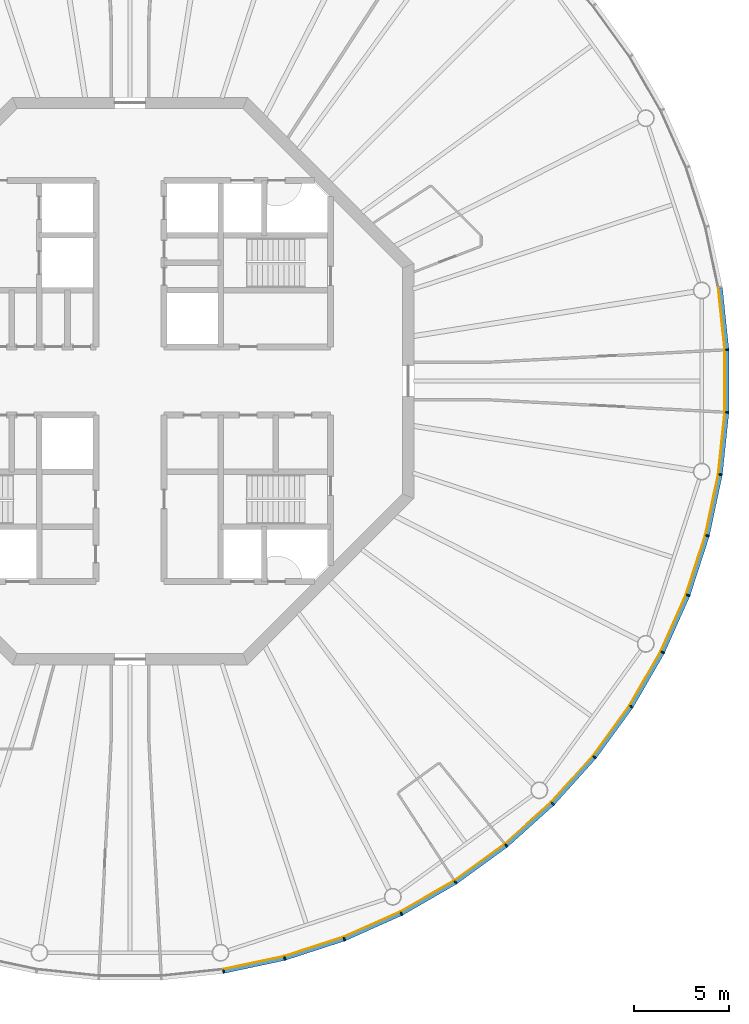
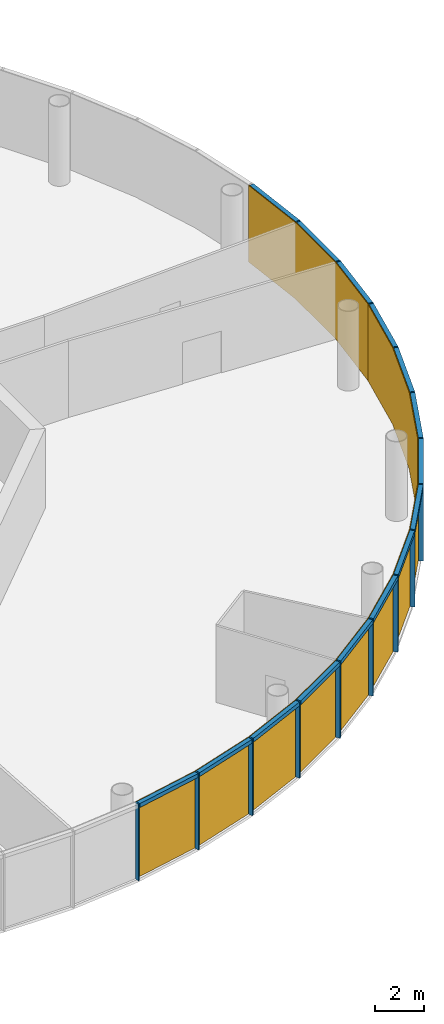
# One storey, part 9 of 13: 30 members, 5 curtain walls.
"""IFC4 building model written with IfcOpenShell, lengths in metres."""

import ifcopenshell
import ifcopenshell.guid

model = None  # the IFC model being written
_history = None  # IfcOwnerHistory: only IFC2X3 demands one
_inside = {}  # id of a spatial element -> (the spatial element, [elements in it])
_under = {}  # id of a project, library or spatial element -> (it, [spatial elements below it])
_declared = {}  # id of a project -> (the project, [libraries it declares])
_typed = {}  # id of a type object -> (the type object, [elements of that type])
_made_of = {}  # id of a material, layer set ... -> (it, [elements and type objects made of it])


def new_model(schema):
    """Start an empty IFC model of exactly this schema.

    Asked for "IFC4X3", IfcOpenShell would pick the latest addendum, in which some entities
    have other attributes; the version numbers below select the first issue.
    IFC2X3 requires an IfcOwnerHistory on every rooted entity: one is made here for all.
    """
    global model, _history
    if schema == "IFC4X3":
        model = ifcopenshell.file(schema_version=(4, 3, 0, 0))
    else:
        model = ifcopenshell.file(schema=schema)
    _inside.clear()
    _under.clear()
    _declared.clear()
    _typed.clear()
    _made_of.clear()
    _history = None
    if model.schema == "IFC2X3":
        org = make("IfcOrganization", Name="unknown")
        user = make(
            "IfcPersonAndOrganization",
            ThePerson=make("IfcPerson", FamilyName="unknown"),
            TheOrganization=org,
        )
        app = make(
            "IfcApplication",
            ApplicationDeveloper=org,
            Version="unknown",
            ApplicationFullName="unknown",
            ApplicationIdentifier="unknown",
        )
        _history = make(
            "IfcOwnerHistory",
            OwningUser=user,
            OwningApplication=app,
            ChangeAction="ADDED",
            CreationDate=0,
        )
    return model


def make(cls, **values):
    """One entity of the class cls with the attributes given. An attribute that is None is left unset."""
    return model.create_entity(
        cls, **{name: value for name, value in values.items() if value is not None}
    )


def rooted(cls, **values):
    """An entity with a GlobalId (a new one), such as an element, a storey or a relation."""
    return make(cls, GlobalId=ifcopenshell.guid.new(), OwnerHistory=_history, **values)


def si_unit(unit_type, name, prefix=None):
    """IfcSIUnit, for example si_unit("LENGTHUNIT", "METRE", prefix="MILLI")."""
    return make("IfcSIUnit", UnitType=unit_type, Prefix=prefix, Name=name)


def assignment(units):
    """IfcUnitAssignment: the units of a project."""
    return None if units is None else make("IfcUnitAssignment", Units=units)


def point(xyz):
    """IfcCartesianPoint."""
    return None if xyz is None else make("IfcCartesianPoint", Coordinates=xyz)


def direction(xyz):
    """IfcDirection."""
    return None if xyz is None else make("IfcDirection", DirectionRatios=xyz)


def frame(location, z_axis=None, x_axis=None):
    """IfcAxis2Placement3D, a coordinate frame: its origin and axes. An axis left out is left unset."""
    return make(
        "IfcAxis2Placement3D",
        Location=point(location),
        Axis=direction(z_axis),
        RefDirection=direction(x_axis),
    )


def frame_2d(location, x_axis=None):
    """IfcAxis2Placement2D, a coordinate frame in the plane: its origin and x axis."""
    return make(
        "IfcAxis2Placement2D", Location=point(location), RefDirection=direction(x_axis)
    )


def origin():
    """The frame at (0, 0, 0) with its axes left unset."""
    return frame((0.0, 0.0, 0.0))


def origin_2d():
    """The frame at (0, 0) in the plane with its x axis left unset."""
    return frame_2d((0.0, 0.0))


def place(relative_to, where):
    """IfcLocalPlacement: puts the frame where relative to a parent placement (None: the world)."""
    return make(
        "IfcLocalPlacement", PlacementRelTo=relative_to, RelativePlacement=where
    )


def context(
    kind, dimensions, precision=None, world=None, true_north=None, identifier=None
):
    """IfcGeometricRepresentationContext, for example the 3D "Model" context."""
    return make(
        "IfcGeometricRepresentationContext",
        ContextIdentifier=identifier,
        ContextType=kind,
        CoordinateSpaceDimension=dimensions,
        Precision=precision,
        WorldCoordinateSystem=world,
        TrueNorth=true_north,
    )


def subcontext(parent, identifier, kind, view, scale=None):
    """IfcGeometricRepresentationSubContext, for example "Body" below "Model"."""
    return make(
        "IfcGeometricRepresentationSubContext",
        ContextIdentifier=identifier,
        ContextType=kind,
        ParentContext=parent,
        TargetScale=scale,
        TargetView=view,
    )


def project(units=None, contexts=None):
    """IfcProject with its units and contexts."""
    return rooted(
        "IfcProject",
        Name="project",
        RepresentationContexts=contexts,
        UnitsInContext=assignment(units),
    )


def spatial(cls, under=None, at=None, **own):
    """A site, building, storey or space (cls), placed at a placement, below another one or the project."""
    s = rooted(cls, ObjectPlacement=at, **own)
    if under is not None:
        _under.setdefault(under.id(), (under, []))[1].append(s)
    return s


def polyline(points):
    """IfcPolyline through the points."""
    return make("IfcPolyline", Points=[point(p) for p in points])


def profile(cls, at=None, kind="AREA", **sizes):
    """A parametric profile (cls). Its sizes go by their IFC names, for example OverallWidth=200.0."""
    return make(cls, ProfileType=kind, Position=at, **sizes)


def rectangle(**sizes):
    """IfcRectangleProfileDef."""
    return profile("IfcRectangleProfileDef", **sizes)


def outline(outer, holes=None, kind="AREA"):
    """IfcArbitraryClosedProfileDef: a profile drawn as a closed curve; with holes, ...WithVoids."""
    if holes is None:
        return make("IfcArbitraryClosedProfileDef", ProfileType=kind, OuterCurve=outer)
    return make(
        "IfcArbitraryProfileDefWithVoids",
        ProfileType=kind,
        OuterCurve=outer,
        InnerCurves=holes,
    )


def extrude(swept, where, along, depth):
    """IfcExtrudedAreaSolid: the profile swept, set in the frame where, extruded along a direction by depth."""
    return make(
        "IfcExtrudedAreaSolid",
        SweptArea=swept,
        Position=where,
        ExtrudedDirection=direction(along),
        Depth=depth,
    )


def shape(context_of_items, identifier, shape_type, items):
    """IfcShapeRepresentation: the items that make up one representation, for example the "Body"."""
    return make(
        "IfcShapeRepresentation",
        ContextOfItems=context_of_items,
        RepresentationIdentifier=identifier,
        RepresentationType=shape_type,
        Items=items,
    )


def material(Name=None, Category=None):
    """IfcMaterial."""
    return make("IfcMaterial", Name=Name, Category=Category)


def layer(
    of_material, thickness, ventilated=None, Name=None, Category=None, Priority=None
):
    """IfcMaterialLayer: one layer of a wall or slab, of a material (None: an air gap)."""
    return make(
        "IfcMaterialLayer",
        Material=of_material,
        LayerThickness=thickness,
        IsVentilated=ventilated,
        Name=Name,
        Category=Category,
        Priority=Priority,
    )


def layer_set(layers, Name=None):
    """IfcMaterialLayerSet."""
    return make("IfcMaterialLayerSet", MaterialLayers=layers, LayerSetName=Name)


def material_profile(
    of_material, cross_section, Name=None, Category=None, Priority=None
):
    """IfcMaterialProfile: a cross section and its material."""
    return make(
        "IfcMaterialProfile",
        Name=Name,
        Material=of_material,
        Profile=cross_section,
        Priority=Priority,
        Category=Category,
    )


def profile_set(profiles, Name=None, composite=None):
    """IfcMaterialProfileSet."""
    return make(
        "IfcMaterialProfileSet",
        Name=Name,
        MaterialProfiles=profiles,
        CompositeProfile=composite,
    )


def made_of(thing, what):
    """Note that an element or type object is made of a material, layer set ...; save() writes the relation."""
    if what is not None:
        _made_of.setdefault(what.id(), (what, []))[1].append(thing)
    return thing


def type_object(cls, material=None, **own):
    """A type object (cls), such as IfcWallType, which elements share."""
    return made_of(rooted(cls, **own), material)


def element(
    cls,
    number,
    at=None,
    inside=None,
    cuts=None,
    type_object=None,
    material=None,
    context=None,
    identifier="Body",
    shape_type=None,
    held_by="IfcProductDefinitionShape",
    body=None,
    shapes=None,
    **own,
):
    """One element of the class cls, such as IfcWall. Its Tag is "e" and its number.

    at: its placement. inside: the storey or other place that contains it. cuts: it is an
    opening in that element (IfcRelVoidsElement). A single representation is given by context,
    identifier, shape_type and body (its items); several are given by shapes. held_by: the class
    of the entity that holds the representations. save() writes the other relations.
    """
    e = rooted(cls, Tag="e%d" % number, ObjectPlacement=at, **own)
    if body is not None:
        shapes = [shape(context, identifier, shape_type, body)]
    if shapes is not None:
        e.Representation = make(held_by, Representations=shapes)
    if inside is not None:
        _inside.setdefault(inside.id(), (inside, []))[1].append(e)
    if cuts is not None:
        rooted(
            "IfcRelVoidsElement", RelatingBuildingElement=cuts, RelatedOpeningElement=e
        )
    if type_object is not None:
        _typed.setdefault(type_object.id(), (type_object, []))[1].append(e)
    return made_of(e, material)


def aggregate(whole, parts):
    """IfcRelAggregates: a whole, such as a stair, and the parts it consists of."""
    return rooted("IfcRelAggregates", RelatingObject=whole, RelatedObjects=parts)


def save(model, path):
    """Write the relations noted so far, then the file.

    IfcRelAggregates (storeys below a building ...), IfcRelContainedInSpatialStructure (elements
    in a storey), IfcRelDefinesByType, IfcRelAssociatesMaterial and IfcRelDeclares: one each for
    every whole, place, type object, material and project.
    """
    for whole, parts in _under.values():
        aggregate(whole, parts)
    for where, things in _inside.values():
        rooted(
            "IfcRelContainedInSpatialStructure",
            RelatedElements=things,
            RelatingStructure=where,
        )
    for kind, things in _typed.values():
        rooted("IfcRelDefinesByType", RelatedObjects=things, RelatingType=kind)
    for what, things in _made_of.values():
        rooted("IfcRelAssociatesMaterial", RelatedObjects=things, RelatingMaterial=what)
    for by, libraries in _declared.values():
        rooted("IfcRelDeclares", RelatingContext=by, RelatedDefinitions=libraries)
    model.write(path)


model = new_model("IFC4")

# Units and contexts
model_context = context("Model", 3, precision=1e-05, world=origin(), true_north=direction((0.0, 1.0)))
body_context = subcontext(model_context, "Body", "Model", "MODEL_VIEW")
ifc_project = project(units=[si_unit("LENGTHUNIT", "METRE"), si_unit("AREAUNIT", "SQUARE_METRE"), si_unit("VOLUMEUNIT", "CUBIC_METRE"), si_unit("PLANEANGLEUNIT", "RADIAN"), si_unit("MASSUNIT", "GRAM", prefix="KILO")], contexts=[model_context])

# Member
ifc_material_1 = material(Name="Anodised aluminium", Category="aluminium")
ifc_material_profile_1 = material_profile(ifc_material_1, rectangle(XDim=0.070068359375, YDim=0.205078125, at=origin_2d()), Name="Mullion 70 x 205 mm anodised aluminium")
ifc_profile_set_1 = profile_set([ifc_material_profile_1], Name="Anodised aluminium")
member_type_1 = type_object("IfcMemberType", Name="Mullion 70 x 205 mm anodised aluminium", PredefinedType="MULLION", material=ifc_profile_set_1)
site_placement = place(None, origin())
building_placement = place(site_placement, origin())
storey_placement = place(building_placement, frame((0.0, 0.0, 380.0)))
member_1_placement = place(storey_placement, frame((94.943603515625, 48.78662109375, 0.0), z_axis=(0.0, 0.0, 1.0), x_axis=(0.987688340595, 0.15643446504, 0.0)))
member_1 = element("IfcMember", 1, at=member_1_placement, type_object=member_type_1, Name="MULLION L88-45", PredefinedType="MULLION", context=body_context, shape_type="SweptSolid", body=[
    extrude(rectangle(XDim=0.070068359375, YDim=0.205078125, at=origin_2d()), origin(), (0.0, 0.0, 1.0), 3.85009765625),
])

member_2_placement = place(storey_placement, frame((98.179443359375, 49.474365234375, 0.0), z_axis=(0.0, 0.0, 1.0), x_axis=(0.965925826289, 0.258819045103, 0.0)))
member_2 = element("IfcMember", 2, at=member_2_placement, type_object=member_type_1, Name="MULLION L88-46", PredefinedType="MULLION", context=body_context, shape_type="SweptSolid", body=[
    extrude(rectangle(XDim=0.070068359375, YDim=0.205078125, at=origin_2d()), origin(), (0.0, 0.0, 1.0), 3.85009765625),
])

member_3_placement = place(storey_placement, frame((101.325439453125, 50.49658203125, 0.0), z_axis=(0.0, 0.0, 1.0), x_axis=(0.933580426497, 0.358367949545, 0.0)))
member_3 = element("IfcMember", 3, at=member_3_placement, type_object=member_type_1, Name="MULLION L88-47", PredefinedType="MULLION", context=body_context, shape_type="SweptSolid", body=[
    extrude(rectangle(XDim=0.070068359375, YDim=0.205078125, at=origin_2d()), origin(), (0.0, 0.0, 1.0), 3.85009765625),
])

member_4_placement = place(storey_placement, frame((104.34716796875, 51.842041015625, 0.0), z_axis=(0.0, 0.0, 1.0), x_axis=(0.891006524188, 0.45399049974, 0.0)))
member_4 = element("IfcMember", 4, at=member_4_placement, type_object=member_type_1, Name="MULLION L88-48", PredefinedType="MULLION", context=body_context, shape_type="SweptSolid", body=[
    extrude(rectangle(XDim=0.070068359375, YDim=0.205078125, at=origin_2d()), origin(), (0.0, 0.0, 1.0), 3.85009765625),
])

member_5_placement = place(storey_placement, frame((107.2119140625, 53.495849609375, 0.0), z_axis=(0.0, 0.0, 1.0), x_axis=(0.838670567945, 0.544639035015, 0.0)))
member_5 = element("IfcMember", 5, at=member_5_placement, type_object=member_type_1, Name="MULLION L88-49", PredefinedType="MULLION", context=body_context, shape_type="SweptSolid", body=[
    extrude(rectangle(XDim=0.070068359375, YDim=0.205078125, at=origin_2d()), origin(), (0.0, 0.0, 1.0), 3.85009765625),
])

member_6_placement = place(storey_placement, frame((109.88818359375, 55.440185546875, 0.0), z_axis=(0.0, 0.0, 1.0), x_axis=(0.777145961457, 0.62932039105, 0.0)))
member_6 = element("IfcMember", 6, at=member_6_placement, type_object=member_type_1, Name="MULLION L88-50", PredefinedType="MULLION", context=body_context, shape_type="SweptSolid", body=[
    extrude(rectangle(XDim=0.070068359375, YDim=0.205078125, at=origin_2d()), origin(), (0.0, 0.0, 1.0), 3.85009765625),
])

member_7_placement = place(storey_placement, frame((112.346435546875, 57.653564453125, 0.0), z_axis=(0.0, 0.0, 1.0), x_axis=(0.707106781187, 0.707106781187, 0.0)))
member_7 = element("IfcMember", 7, at=member_7_placement, type_object=member_type_1, Name="MULLION L88-51", PredefinedType="MULLION", context=body_context, shape_type="SweptSolid", body=[
    extrude(rectangle(XDim=0.070068359375, YDim=0.205078125, at=origin_2d()), origin(), (0.0, 0.0, 1.0), 3.85009765625),
])

member_8_placement = place(storey_placement, frame((114.559814453125, 60.11181640625, 0.0), z_axis=(0.0, 0.0, 1.0), x_axis=(0.62932039105, 0.777145961457, 0.0)))
member_8 = element("IfcMember", 8, at=member_8_placement, type_object=member_type_1, Name="MULLION L88-52", PredefinedType="MULLION", context=body_context, shape_type="SweptSolid", body=[
    extrude(rectangle(XDim=0.070068359375, YDim=0.205078125, at=origin_2d()), origin(), (0.0, 0.0, 1.0), 3.85009765625),
])

member_9_placement = place(storey_placement, frame((116.504150390625, 62.7880859375, 0.0), z_axis=(0.0, 0.0, 1.0), x_axis=(0.544639035015, 0.838670567945, 0.0)))
member_9 = element("IfcMember", 9, at=member_9_placement, type_object=member_type_1, Name="MULLION L88-53", PredefinedType="MULLION", context=body_context, shape_type="SweptSolid", body=[
    extrude(rectangle(XDim=0.070068359375, YDim=0.205078125, at=origin_2d()), origin(), (0.0, 0.0, 1.0), 3.85009765625),
])

member_10_placement = place(storey_placement, frame((118.157958984375, 65.65283203125, 0.0), z_axis=(0.0, 0.0, 1.0), x_axis=(0.45399049974, 0.891006524188, 0.0)))
member_10 = element("IfcMember", 10, at=member_10_placement, type_object=member_type_1, Name="MULLION L88-54", PredefinedType="MULLION", context=body_context, shape_type="SweptSolid", body=[
    extrude(rectangle(XDim=0.070068359375, YDim=0.205078125, at=origin_2d()), origin(), (0.0, 0.0, 1.0), 3.85009765625),
])

member_11_placement = place(storey_placement, frame((119.50341796875, 68.674560546875, 0.0), z_axis=(0.0, 0.0, 1.0), x_axis=(0.358367949545, 0.933580426497, 0.0)))
member_11 = element("IfcMember", 11, at=member_11_placement, type_object=member_type_1, Name="MULLION L88-55", PredefinedType="MULLION", context=body_context, shape_type="SweptSolid", body=[
    extrude(rectangle(XDim=0.070068359375, YDim=0.205078125, at=origin_2d()), origin(), (0.0, 0.0, 1.0), 3.85009765625),
])

member_12_placement = place(storey_placement, frame((120.525634765625, 71.820556640625, 0.0), z_axis=(0.0, 0.0, 1.0), x_axis=(0.258819045103, 0.965925826289, 0.0)))
member_12 = element("IfcMember", 12, at=member_12_placement, type_object=member_type_1, Name="MULLION L88-56", PredefinedType="MULLION", context=body_context, shape_type="SweptSolid", body=[
    extrude(rectangle(XDim=0.070068359375, YDim=0.205078125, at=origin_2d()), origin(), (0.0, 0.0, 1.0), 3.85009765625),
])

member_13_placement = place(storey_placement, frame((121.21337890625, 75.056396484375, 0.0), z_axis=(0.0, 0.0, 1.0), x_axis=(0.15643446504, 0.987688340595, 0.0)))
member_13 = element("IfcMember", 13, at=member_13_placement, type_object=member_type_1, Name="MULLION L88-57", PredefinedType="MULLION", context=body_context, shape_type="SweptSolid", body=[
    extrude(rectangle(XDim=0.070068359375, YDim=0.205078125, at=origin_2d()), origin(), (0.0, 0.0, 1.0), 3.85009765625),
])

member_14_placement = place(storey_placement, frame((121.55908203125, 78.345947265625, 0.0), z_axis=(0.0, 0.0, 1.0), x_axis=(0.052335956243, 0.998629534755, 0.0)))
member_14 = element("IfcMember", 14, at=member_14_placement, type_object=member_type_1, Name="MULLION L88-58", PredefinedType="MULLION", context=body_context, shape_type="SweptSolid", body=[
    extrude(rectangle(XDim=0.070068359375, YDim=0.205078125, at=origin_2d()), origin(), (0.0, 0.0, 1.0), 3.85009765625),
])

member_15_placement = place(storey_placement, frame((121.55908203125, 81.654052734375, 0.0), z_axis=(0.0, 0.0, 1.0), x_axis=(-0.052335956243, 0.998629534755, 0.0)))
member_15 = element("IfcMember", 15, at=member_15_placement, type_object=member_type_1, Name="MULLION L88-59", PredefinedType="MULLION", context=body_context, shape_type="SweptSolid", body=[
    extrude(rectangle(XDim=0.070068359375, YDim=0.205078125, at=origin_2d()), origin(), (0.0, 0.0, 1.0), 3.85009765625),
])

ifc_material_2 = material(Name="Anodised aluminium", Category="aluminium")
ifc_material_profile_2 = material_profile(ifc_material_2, rectangle(XDim=0.205078125, YDim=0.195068359375, at=origin_2d()), Name="Transom 195 x 205 mm anodised aluminium")
ifc_profile_set_2 = profile_set([ifc_material_profile_2], Name="Anodised aluminium")
member_type_2 = type_object("IfcMemberType", Name="Transom 195 x 205 mm anodised aluminium", PredefinedType="USERDEFINED", material=ifc_profile_set_2)
member_16_placement = place(storey_placement, frame((94.983154296875, 48.794921875, 3.75244140625), z_axis=(0.978153082647, 0.207885898771, 0.0), x_axis=(-0.207885898771, 0.978153082647, 0.0)))
member_16 = element("IfcMember", 16, at=member_16_placement, type_object=member_type_2, Name="TRANSOM L88-45", ObjectType="TRANSOM", PredefinedType="USERDEFINED", context=body_context, shape_type="SweptSolid", body=[
    extrude(rectangle(XDim=0.205078125, YDim=0.195068359375, at=origin_2d()), origin(), (0.0, 0.0, 1.0), 3.227294921875),
])

member_17_placement = place(storey_placement, frame((98.2177734375, 49.486572265625, 3.75244140625), z_axis=(0.951046855117, 0.309046726844, 0.0), x_axis=(-0.309046726844, 0.951046855117, 0.0)))
member_17 = element("IfcMember", 17, at=member_17_placement, type_object=member_type_2, Name="TRANSOM L88-46", ObjectType="TRANSOM", PredefinedType="USERDEFINED", context=body_context, shape_type="SweptSolid", body=[
    extrude(rectangle(XDim=0.205078125, YDim=0.195068359375, at=origin_2d()), origin(), (0.0, 0.0, 1.0), 3.22705078125),
])

member_18_placement = place(storey_placement, frame((101.3623046875, 50.5126953125, 3.75244140625), z_axis=(0.913521178731, 0.406791170024, 0.0), x_axis=(-0.406791170024, 0.913521178731, 0.0)))
member_18 = element("IfcMember", 18, at=member_18_placement, type_object=member_type_2, Name="TRANSOM L88-47", ObjectType="TRANSOM", PredefinedType="USERDEFINED", context=body_context, shape_type="SweptSolid", body=[
    extrude(rectangle(XDim=0.205078125, YDim=0.195068359375, at=origin_2d()), origin(), (0.0, 0.0, 1.0), 3.22705078125),
])

member_19_placement = place(storey_placement, frame((104.38232421875, 51.862060546875, 3.75244140625), z_axis=(0.866023062494, 0.500004055213, 0.0), x_axis=(-0.500004055213, 0.866023062494, 0.0)))
member_19 = element("IfcMember", 19, at=member_19_placement, type_object=member_type_2, Name="TRANSOM L88-48", ObjectType="TRANSOM", PredefinedType="USERDEFINED", context=body_context, shape_type="SweptSolid", body=[
    extrude(rectangle(XDim=0.205078125, YDim=0.195068359375, at=origin_2d()), origin(), (0.0, 0.0, 1.0), 3.22705078125),
])

member_20_placement = place(storey_placement, frame((107.24462890625, 53.51953125, 3.75244140625), z_axis=(0.809004252048, 0.587802790201, 0.0), x_axis=(-0.587802790201, 0.809004252048, 0.0)))
member_20 = element("IfcMember", 20, at=member_20_placement, type_object=member_type_2, Name="TRANSOM L88-49", ObjectType="TRANSOM", PredefinedType="USERDEFINED", context=body_context, shape_type="SweptSolid", body=[
    extrude(rectangle(XDim=0.205078125, YDim=0.195068359375, at=origin_2d()), origin(), (0.0, 0.0, 1.0), 3.227294921875),
])

member_21_placement = place(storey_placement, frame((109.918212890625, 55.467041015625, 3.75244140625), z_axis=(0.743132370743, 0.669144438484, 0.0), x_axis=(-0.669144438484, 0.743132370743, 0.0)))
member_21 = element("IfcMember", 21, at=member_21_placement, type_object=member_type_2, Name="TRANSOM L88-50", ObjectType="TRANSOM", PredefinedType="USERDEFINED", context=body_context, shape_type="SweptSolid", body=[
    extrude(rectangle(XDim=0.205078125, YDim=0.195068359375, at=origin_2d()), origin(), (0.0, 0.0, 1.0), 3.22705078125),
])

member_22_placement = place(storey_placement, frame((112.37353515625, 57.68359375, 3.75244140625), z_axis=(0.669144438484, 0.743132370743, 0.0), x_axis=(-0.743132370743, 0.669144438484, 0.0)))
member_22 = element("IfcMember", 22, at=member_22_placement, type_object=member_type_2, Name="TRANSOM L88-51", ObjectType="TRANSOM", PredefinedType="USERDEFINED", context=body_context, shape_type="SweptSolid", body=[
    extrude(rectangle(XDim=0.205078125, YDim=0.195068359375, at=origin_2d()), origin(), (0.0, 0.0, 1.0), 3.22705078125),
])

member_23_placement = place(storey_placement, frame((114.58349609375, 60.14453125, 3.75244140625), z_axis=(0.587802790201, 0.809004252048, 0.0), x_axis=(-0.809004252048, 0.587802790201, 0.0)))
member_23 = element("IfcMember", 23, at=member_23_placement, type_object=member_type_2, Name="TRANSOM L88-52", ObjectType="TRANSOM", PredefinedType="USERDEFINED", context=body_context, shape_type="SweptSolid", body=[
    extrude(rectangle(XDim=0.205078125, YDim=0.195068359375, at=origin_2d()), origin(), (0.0, 0.0, 1.0), 3.227294921875),
])

member_24_placement = place(storey_placement, frame((116.5244140625, 62.822998046875, 3.75244140625), z_axis=(0.500004055213, 0.866023062494, 0.0), x_axis=(-0.866023062494, 0.500004055213, 0.0)))
member_24 = element("IfcMember", 24, at=member_24_placement, type_object=member_type_2, Name="TRANSOM L88-53", ObjectType="TRANSOM", PredefinedType="USERDEFINED", context=body_context, shape_type="SweptSolid", body=[
    extrude(rectangle(XDim=0.205078125, YDim=0.195068359375, at=origin_2d()), origin(), (0.0, 0.0, 1.0), 3.22705078125),
])

member_25_placement = place(storey_placement, frame((118.174560546875, 65.689697265625, 3.75244140625), z_axis=(0.406791170024, 0.913521178731, 0.0), x_axis=(-0.913521178731, 0.406791170024, 0.0)))
member_25 = element("IfcMember", 25, at=member_25_placement, type_object=member_type_2, Name="TRANSOM L88-54", ObjectType="TRANSOM", PredefinedType="USERDEFINED", context=body_context, shape_type="SweptSolid", body=[
    extrude(rectangle(XDim=0.205078125, YDim=0.195068359375, at=origin_2d()), origin(), (0.0, 0.0, 1.0), 3.22705078125),
])

member_26_placement = place(storey_placement, frame((119.51611328125, 68.713134765625, 3.75244140625), z_axis=(0.309046726844, 0.951046855117, 0.0), x_axis=(-0.951046855117, 0.309046726844, 0.0)))
member_26 = element("IfcMember", 26, at=member_26_placement, type_object=member_type_2, Name="TRANSOM L88-55", ObjectType="TRANSOM", PredefinedType="USERDEFINED", context=body_context, shape_type="SweptSolid", body=[
    extrude(rectangle(XDim=0.205078125, YDim=0.195068359375, at=origin_2d()), origin(), (0.0, 0.0, 1.0), 3.22705078125),
])

member_27_placement = place(storey_placement, frame((120.5341796875, 71.860107421875, 3.75244140625), z_axis=(0.207885898771, 0.978153082647, 0.0), x_axis=(-0.978153082647, 0.207885898771, 0.0)))
member_27 = element("IfcMember", 27, at=member_27_placement, type_object=member_type_2, Name="TRANSOM L88-56", ObjectType="TRANSOM", PredefinedType="USERDEFINED", context=body_context, shape_type="SweptSolid", body=[
    extrude(rectangle(XDim=0.205078125, YDim=0.195068359375, at=origin_2d()), origin(), (0.0, 0.0, 1.0), 3.227294921875),
])

member_28_placement = place(storey_placement, frame((121.2177734375, 75.096435546875, 3.75244140625), z_axis=(0.104550890115, 0.994519537956, 0.0), x_axis=(-0.994519537956, 0.104550890115, 0.0)))
member_28 = element("IfcMember", 28, at=member_28_placement, type_object=member_type_2, Name="TRANSOM L88-57", ObjectType="TRANSOM", PredefinedType="USERDEFINED", context=body_context, shape_type="SweptSolid", body=[
    extrude(rectangle(XDim=0.205078125, YDim=0.195068359375, at=origin_2d()), origin(), (0.0, 0.0, 1.0), 3.22705078125),
])

member_29_placement = place(storey_placement, frame((121.559326171875, 78.386474609375, 3.75244140625), z_axis=(0.0, 1.0, 0.0), x_axis=(-1.0, 0.0, 0.0)))
member_29 = element("IfcMember", 29, at=member_29_placement, type_object=member_type_2, Name="TRANSOM L88-58", ObjectType="TRANSOM", PredefinedType="USERDEFINED", context=body_context, shape_type="SweptSolid", body=[
    extrude(rectangle(XDim=0.205078125, YDim=0.195068359375, at=origin_2d()), origin(), (0.0, 0.0, 1.0), 3.22705078125),
])

member_30_placement = place(storey_placement, frame((121.55517578125, 81.694091796875, 3.75244140625), z_axis=(-0.104550890115, 0.994519537956, 0.0), x_axis=(-0.994519537956, -0.104550890115, 0.0)))
member_30 = element("IfcMember", 30, at=member_30_placement, type_object=member_type_2, Name="TRANSOM L88-59", ObjectType="TRANSOM", PredefinedType="USERDEFINED", context=body_context, shape_type="SweptSolid", body=[
    extrude(rectangle(XDim=0.205078125, YDim=0.195068359375, at=origin_2d()), origin(), (0.0, 0.0, 1.0), 3.22705078125),
])

# Site, building, storey
site = spatial("IfcSite", under=ifc_project, at=site_placement, CompositionType="ELEMENT")
building = spatial("IfcBuilding", under=site, at=building_placement, Name="Entoto Ring Tower", CompositionType="ELEMENT")
storey = spatial("IfcBuildingStorey", under=building, at=storey_placement, Name="L88", CompositionType="ELEMENT", Elevation=380.0)

# Curtain wall
ifc_material_3 = material(Name="Clear low-iron glass", Category="glass")
ifc_layer = layer(ifc_material_3, 0.035888671875)
ifc_layer_set = layer_set([ifc_layer], Name="Clear low-iron glass")
curtain_wall_type = type_object("IfcCurtainWallType", Name="Curtain wall system CW6 glazing 36 mm", PredefinedType="NOTDEFINED", material=ifc_layer_set)
curtain_wall_1_placement = place(storey_placement, origin())
curtain_wall_1 = element("IfcCurtainWall", 31, at=curtain_wall_1_placement, inside=storey, type_object=curtain_wall_type, Name="CW6 L88-16", PredefinedType="NOTDEFINED", context=body_context, shape_type="SweptSolid", body=[
    extrude(outline(polyline([(94.927734375, 48.8876953125), (98.15283203125, 49.5732421875), (101.28857421875, 50.59228515625), (104.30078125, 51.933349609375), (104.284423828125, 51.96533203125), (101.275634765625, 50.6259765625), (98.1435546875, 49.608154296875), (94.922119140625, 48.92333984375), (94.927734375, 48.8876953125)])), origin(), (0.0, 0.0, 1.0), 3.85009765625),
])

aggregate(curtain_wall_1, [member_1, member_2, member_3, member_16, member_17, member_18])

curtain_wall_2_placement = place(storey_placement, origin())
curtain_wall_2 = element("IfcCurtainWall", 32, at=curtain_wall_2_placement, inside=storey, type_object=curtain_wall_type, Name="CW6 L88-17", PredefinedType="NOTDEFINED", context=body_context, shape_type="SweptSolid", body=[
    extrude(outline(polyline([(104.30078125, 51.933349609375), (107.15625, 53.581787109375), (109.823486328125, 55.52001953125), (112.27392578125, 57.72607421875), (112.248291015625, 57.751708984375), (109.801025390625, 55.5478515625), (107.136474609375, 53.612060546875), (104.284423828125, 51.96533203125), (104.30078125, 51.933349609375)])), origin(), (0.0, 0.0, 1.0), 3.85009765625),
])

aggregate(curtain_wall_2, [member_4, member_5, member_6, member_19, member_20, member_21])

curtain_wall_3_placement = place(storey_placement, origin())
curtain_wall_3 = element("IfcCurtainWall", 33, at=curtain_wall_3_placement, inside=storey, type_object=curtain_wall_type, Name="CW6 L88-18", PredefinedType="NOTDEFINED", context=body_context, shape_type="SweptSolid", body=[
    extrude(outline(polyline([(112.27392578125, 57.72607421875), (114.47998046875, 60.176513671875), (116.418212890625, 62.84375), (118.066650390625, 65.69921875), (118.03466796875, 65.715576171875), (116.387939453125, 62.863525390625), (114.4521484375, 60.198974609375), (112.248291015625, 57.751708984375), (112.27392578125, 57.72607421875)])), origin(), (0.0, 0.0, 1.0), 3.85009765625),
])

aggregate(curtain_wall_3, [member_7, member_8, member_9, member_22, member_23, member_24])

curtain_wall_4_placement = place(storey_placement, origin())
curtain_wall_4 = element("IfcCurtainWall", 34, at=curtain_wall_4_placement, inside=storey, type_object=curtain_wall_type, Name="CW6 L88-19", PredefinedType="NOTDEFINED", context=body_context, shape_type="SweptSolid", body=[
    extrude(outline(polyline([(118.066650390625, 65.69921875), (119.40771484375, 68.71142578125), (120.4267578125, 71.84716796875), (121.1123046875, 75.072265625), (121.07666015625, 75.077880859375), (120.391845703125, 71.8564453125), (119.3740234375, 68.724365234375), (118.03466796875, 65.715576171875), (118.066650390625, 65.69921875)])), origin(), (0.0, 0.0, 1.0), 3.85009765625),
])

aggregate(curtain_wall_4, [member_10, member_11, member_12, member_25, member_26, member_27])

curtain_wall_5_placement = place(storey_placement, origin())
curtain_wall_5 = element("IfcCurtainWall", 35, at=curtain_wall_5_placement, inside=storey, type_object=curtain_wall_type, Name="CW6 L88-20", PredefinedType="NOTDEFINED", context=body_context, shape_type="SweptSolid", body=[
    extrude(outline(polyline([(121.1123046875, 75.072265625), (121.456787109375, 78.351318359375), (121.456787109375, 81.648681640625), (121.1123046875, 84.927734375), (121.07666015625, 84.922119140625), (121.4208984375, 81.646728515625), (121.4208984375, 78.353271484375), (121.07666015625, 75.077880859375), (121.1123046875, 75.072265625)])), origin(), (0.0, 0.0, 1.0), 3.85009765625),
])

aggregate(curtain_wall_5, [member_13, member_14, member_15, member_28, member_29, member_30])

save(model, "model.ifc")
